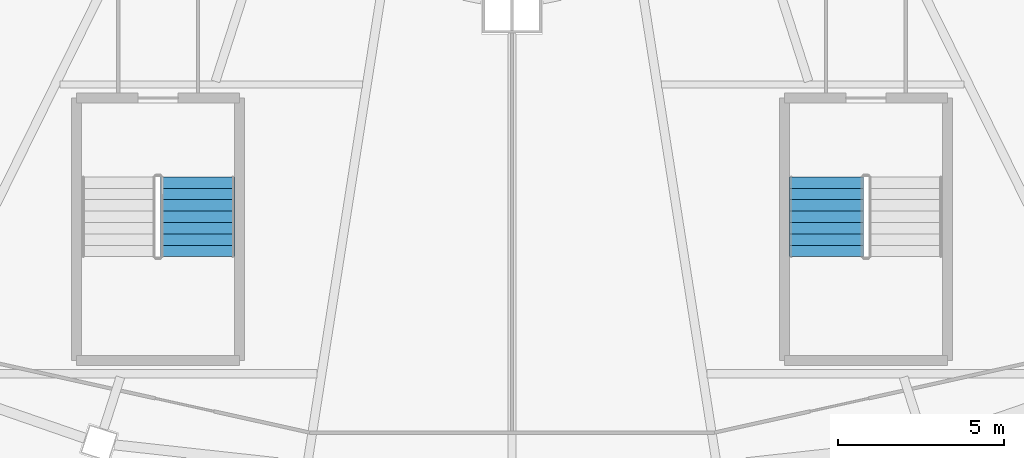
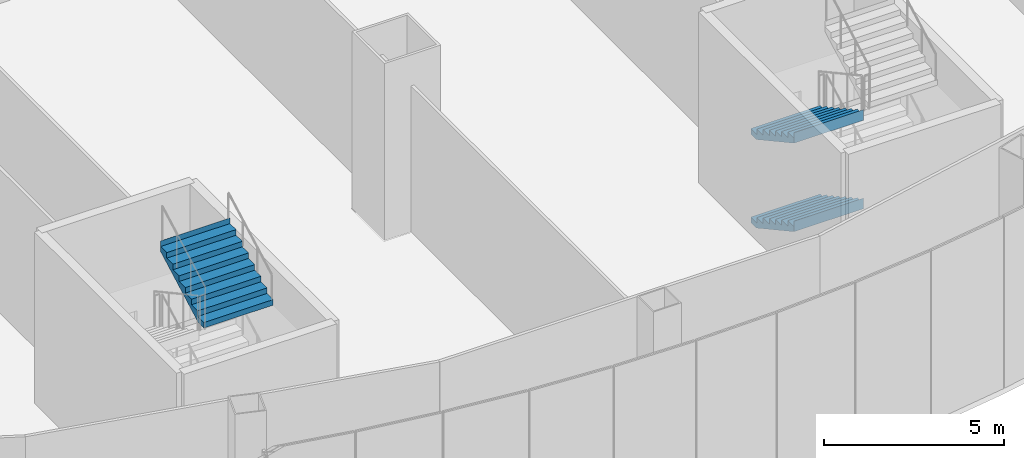
# One storey, part 28 of 37: 3 stair flights, 2 elements without a shape of their own.
"""IFC4 building model written with IfcOpenShell, lengths in metres."""

from ifc_helpers import new_model, si_unit, direction, frame, origin, place, context, subcontext, project, spatial, triangles, material, type_object, element, aggregate, save


model = new_model("IFC4")

# Units and contexts
model_context = context("Model", 3, precision=1e-05, world=origin(), true_north=direction((0.0, 1.0)))
body_context = subcontext(model_context, "Body", "Model", "MODEL_VIEW")
ifc_project = project(units=[si_unit("LENGTHUNIT", "METRE"), si_unit("AREAUNIT", "SQUARE_METRE"), si_unit("VOLUMEUNIT", "CUBIC_METRE"), si_unit("PLANEANGLEUNIT", "RADIAN"), si_unit("MASSUNIT", "GRAM", prefix="KILO")], contexts=[model_context])

# Site, building, storey
site_placement = place(None, origin())
site = spatial("IfcSite", under=ifc_project, at=site_placement, CompositionType="ELEMENT")
building_placement = place(site_placement, origin())
building = spatial("IfcBuilding", under=site, at=building_placement, Name="Sahrelin Media Tower", CompositionType="ELEMENT")
storey_placement = place(building_placement, frame((0.0, 0.0, 31.39990234375)))
storey = spatial("IfcBuildingStorey", under=building, at=storey_placement, Name="L04", CompositionType="ELEMENT", Elevation=31.39990234375)

# Stair, stair flight
ifc_material = material(Name="Concrete C40/50", Category="concrete")
stair_type = type_object("IfcStairType", Name="Podium stair 2225", PredefinedType="HALF_TURN_STAIR", material=ifc_material)
placement = place(storey_placement, origin())
stair_1 = element("IfcStair", 1, at=placement, inside=storey, type_object=stair_type, Name="L04 Podium stair PS3", PredefinedType="HALF_TURN_STAIR")
stair_flight_type = type_object("IfcStairFlightType", Name="Stair flight 2225", PredefinedType="STRAIGHT", material=ifc_material)
stair_flight_1_placement = place(storey_placement, frame((-9.46240234375, -33.02490234375, 4.5), z_axis=(0.0, 0.0, 1.0), x_axis=(0.0, 1.0, 0.0)))
stair_flight_1 = element("IfcStairFlight", 2, at=stair_flight_1_placement, type_object=stair_flight_type, Name="PS3 flight 4", NumberOfRisers=8, NumberOfTreads=7, PredefinedType="STRAIGHT", RiserHeight=0.1875, TreadLength=0.342857143, context=body_context, shape_type="Tessellation", body=[
    triangles([(0.3125, 1.112548828125, 0.0), (0.3125, 0.794677734375, 0.0), (0.3125, 0.476806640625, 0.0), (0.3125, 0.158935546875, 0.0), (0.3125, -0.158935546875, 0.0), (0.3125, -0.476806640625, 0.0), (0.3125, -0.794677734375, 0.0), (0.3125, -1.112548828125, 0.0), (2.39990234375, 1.112548828125, 1.1416015625), (2.39990234375, 0.794677734375, 1.1416015625), (2.39990234375, 0.476806640625, 1.1416015625), (2.39990234375, 0.158935546875, 1.1416015625), (2.39990234375, -0.158935546875, 1.1416015625), (2.39990234375, -0.476806640625, 1.1416015625), (2.39990234375, -0.794677734375, 1.1416015625), (2.39990234375, -1.112548828125, 1.1416015625), (2.39990234375, 1.112548828125, 1.5), (2.39990234375, 0.794677734375, 1.5), (2.39990234375, 0.476806640625, 1.5), (2.39990234375, 0.158935546875, 1.5), (2.39990234375, -0.158935546875, 1.5), (2.39990234375, -0.476806640625, 1.5), (2.39990234375, -0.794677734375, 1.5), (2.39990234375, -1.112548828125, 1.5), (2.39794921875, 1.112548828125, 1.5), (2.39794921875, 0.794677734375, 1.5), (2.39794921875, 0.476806640625, 1.5), (2.39794921875, 0.158935546875, 1.5), (2.39794921875, -0.158935546875, 1.5), (2.39794921875, -0.476806640625, 1.5), (2.39794921875, -0.794677734375, 1.5), (2.39794921875, -1.112548828125, 1.5), (2.39794921875, 1.112548828125, 1.3125), (2.39794921875, 0.794677734375, 1.3125), (2.39794921875, 0.476806640625, 1.3125), (2.39794921875, 0.158935546875, 1.3125), (2.39794921875, -0.158935546875, 1.3125), (2.39794921875, -0.476806640625, 1.3125), (2.39794921875, -0.794677734375, 1.3125), (2.39794921875, -1.112548828125, 1.3125), (2.05712890625, 1.112548828125, 1.3125), (2.05712890625, 0.794677734375, 1.3125), (2.05712890625, 0.476806640625, 1.3125), (2.05712890625, 0.158935546875, 1.3125), (2.05712890625, -0.158935546875, 1.3125), (2.05712890625, -0.476806640625, 1.3125), (2.05712890625, -0.794677734375, 1.3125), (2.05712890625, -1.112548828125, 1.3125), (2.05712890625, 1.112548828125, 1.125), (2.05712890625, 0.794677734375, 1.125), (2.05712890625, 0.476806640625, 1.125), (2.05712890625, 0.158935546875, 1.125), (2.05712890625, -0.158935546875, 1.125), (2.05712890625, -0.476806640625, 1.125), (2.05712890625, -0.794677734375, 1.125), (2.05712890625, -1.112548828125, 1.125), (1.71435546875, 1.112548828125, 1.125), (1.71435546875, 0.794677734375, 1.125), (1.71435546875, 0.476806640625, 1.125), (1.71435546875, 0.158935546875, 1.125), (1.71435546875, -0.158935546875, 1.125), (1.71435546875, -0.476806640625, 1.125), (1.71435546875, -0.794677734375, 1.125), (1.71435546875, -1.112548828125, 1.125), (1.71435546875, 1.112548828125, 0.9375), (1.71435546875, 0.794677734375, 0.9375), (1.71435546875, 0.476806640625, 0.9375), (1.71435546875, 0.158935546875, 0.9375), (1.71435546875, -0.158935546875, 0.9375), (1.71435546875, -0.476806640625, 0.9375), (1.71435546875, -0.794677734375, 0.9375), (1.71435546875, -1.112548828125, 0.9375), (1.371337890625, 1.112548828125, 0.9375), (1.371337890625, 0.794677734375, 0.9375), (1.371337890625, 0.476806640625, 0.9375), (1.371337890625, 0.158935546875, 0.9375), (1.371337890625, -0.158935546875, 0.9375), (1.371337890625, -0.476806640625, 0.9375), (1.371337890625, -0.794677734375, 0.9375), (1.371337890625, -1.112548828125, 0.9375), (1.371337890625, 1.112548828125, 0.75), (1.371337890625, 0.794677734375, 0.75), (1.371337890625, 0.476806640625, 0.75), (1.371337890625, 0.158935546875, 0.75), (1.371337890625, -0.158935546875, 0.75), (1.371337890625, -0.476806640625, 0.75), (1.371337890625, -0.794677734375, 0.75), (1.371337890625, -1.112548828125, 0.75), (1.028564453125, 1.112548828125, 0.75), (1.028564453125, 0.794677734375, 0.75), (1.028564453125, 0.476806640625, 0.75), (1.028564453125, 0.158935546875, 0.75), (1.028564453125, -0.158935546875, 0.75), (1.028564453125, -0.476806640625, 0.75), (1.028564453125, -0.794677734375, 0.75), (1.028564453125, -1.112548828125, 0.75), (1.028564453125, 1.112548828125, 0.5625), (1.028564453125, 0.794677734375, 0.5625), (1.028564453125, 0.476806640625, 0.5625), (1.028564453125, 0.158935546875, 0.5625), (1.028564453125, -0.158935546875, 0.5625), (1.028564453125, -0.476806640625, 0.5625), (1.028564453125, -0.794677734375, 0.5625), (1.028564453125, -1.112548828125, 0.5625), (0.685791015625, 1.112548828125, 0.5625), (0.685791015625, 0.794677734375, 0.5625), (0.685791015625, 0.476806640625, 0.5625), (0.685791015625, 0.158935546875, 0.5625), (0.685791015625, -0.158935546875, 0.5625), (0.685791015625, -0.476806640625, 0.5625), (0.685791015625, -0.794677734375, 0.5625), (0.685791015625, -1.112548828125, 0.5625), (0.685791015625, 1.112548828125, 0.375), (0.685791015625, 0.794677734375, 0.375), (0.685791015625, 0.476806640625, 0.375), (0.685791015625, 0.158935546875, 0.375), (0.685791015625, -0.158935546875, 0.375), (0.685791015625, -0.476806640625, 0.375), (0.685791015625, -0.794677734375, 0.375), (0.685791015625, -1.112548828125, 0.375), (0.3427734375, 1.112548828125, 0.375), (0.3427734375, 0.794677734375, 0.375), (0.3427734375, 0.476806640625, 0.375), (0.3427734375, 0.158935546875, 0.375), (0.3427734375, -0.158935546875, 0.375), (0.3427734375, -0.476806640625, 0.375), (0.3427734375, -0.794677734375, 0.375), (0.3427734375, -1.112548828125, 0.375), (0.3427734375, 1.112548828125, 0.1875), (0.3427734375, 0.794677734375, 0.1875), (0.3427734375, 0.476806640625, 0.1875), (0.3427734375, 0.158935546875, 0.1875), (0.3427734375, -0.158935546875, 0.1875), (0.3427734375, -0.476806640625, 0.1875), (0.3427734375, -0.794677734375, 0.1875), (0.3427734375, -1.112548828125, 0.1875), (0.0, 1.112548828125, 0.1875), (0.0, 0.794677734375, 0.1875), (0.0, 0.476806640625, 0.1875), (0.0, 0.158935546875, 0.1875), (0.0, -0.158935546875, 0.1875), (0.0, -0.476806640625, 0.1875), (0.0, -0.794677734375, 0.1875), (0.0, -1.112548828125, 0.1875), (0.0, 1.112548828125, 0.0), (0.0, 0.794677734375, 0.0), (0.0, 0.476806640625, 0.0), (0.0, 0.158935546875, 0.0), (0.0, -0.158935546875, 0.0), (0.0, -0.476806640625, 0.0), (0.0, -0.794677734375, 0.0), (0.0, -1.112548828125, 0.0)], [[1, 9, 10], [1, 10, 2], [2, 10, 11], [2, 11, 3], [3, 11, 12], [3, 12, 4], [4, 12, 13], [4, 13, 5], [5, 13, 14], [5, 14, 6], [6, 14, 15], [6, 15, 7], [7, 15, 16], [7, 16, 8], [9, 17, 18], [9, 18, 10], [10, 18, 19], [10, 19, 11], [11, 19, 20], [11, 20, 12], [12, 20, 21], [12, 21, 13], [13, 21, 22], [13, 22, 14], [14, 22, 23], [14, 23, 15], [15, 23, 24], [15, 24, 16], [17, 25, 26], [17, 26, 18], [18, 26, 27], [18, 27, 19], [19, 27, 28], [19, 28, 20], [20, 28, 29], [20, 29, 21], [21, 29, 30], [21, 30, 22], [22, 30, 31], [22, 31, 23], [23, 31, 32], [23, 32, 24], [25, 33, 34], [25, 34, 26], [26, 34, 35], [26, 35, 27], [27, 35, 36], [27, 36, 28], [28, 36, 37], [28, 37, 29], [29, 37, 38], [29, 38, 30], [30, 38, 39], [30, 39, 31], [31, 39, 40], [31, 40, 32], [33, 41, 42], [33, 42, 34], [34, 42, 43], [34, 43, 35], [35, 43, 44], [35, 44, 36], [36, 44, 45], [36, 45, 37], [37, 45, 46], [37, 46, 38], [38, 46, 47], [38, 47, 39], [39, 47, 48], [39, 48, 40], [41, 49, 50], [41, 50, 42], [42, 50, 51], [42, 51, 43], [43, 51, 52], [43, 52, 44], [44, 52, 53], [44, 53, 45], [45, 53, 54], [45, 54, 46], [46, 54, 55], [46, 55, 47], [47, 55, 56], [47, 56, 48], [49, 57, 58], [49, 58, 50], [50, 58, 59], [50, 59, 51], [51, 59, 60], [51, 60, 52], [52, 60, 61], [52, 61, 53], [53, 61, 62], [53, 62, 54], [54, 62, 63], [54, 63, 55], [55, 63, 64], [55, 64, 56], [57, 65, 66], [57, 66, 58], [58, 66, 67], [58, 67, 59], [59, 67, 68], [59, 68, 60], [60, 68, 69], [60, 69, 61], [61, 69, 70], [61, 70, 62], [62, 70, 71], [62, 71, 63], [63, 71, 72], [63, 72, 64], [65, 73, 74], [65, 74, 66], [66, 74, 75], [66, 75, 67], [67, 75, 76], [67, 76, 68], [68, 76, 77], [68, 77, 69], [69, 77, 78], [69, 78, 70], [70, 78, 79], [70, 79, 71], [71, 79, 80], [71, 80, 72], [73, 81, 82], [73, 82, 74], [74, 82, 83], [74, 83, 75], [75, 83, 84], [75, 84, 76], [76, 84, 85], [76, 85, 77], [77, 85, 86], [77, 86, 78], [78, 86, 87], [78, 87, 79], [79, 87, 88], [79, 88, 80], [81, 89, 90], [81, 90, 82], [82, 90, 91], [82, 91, 83], [83, 91, 92], [83, 92, 84], [84, 92, 93], [84, 93, 85], [85, 93, 94], [85, 94, 86], [86, 94, 95], [86, 95, 87], [87, 95, 96], [87, 96, 88], [89, 97, 98], [89, 98, 90], [90, 98, 99], [90, 99, 91], [91, 99, 100], [91, 100, 92], [92, 100, 101], [92, 101, 93], [93, 101, 102], [93, 102, 94], [94, 102, 103], [94, 103, 95], [95, 103, 104], [95, 104, 96], [97, 105, 106], [97, 106, 98], [98, 106, 107], [98, 107, 99], [99, 107, 108], [99, 108, 100], [100, 108, 109], [100, 109, 101], [101, 109, 110], [101, 110, 102], [102, 110, 111], [102, 111, 103], [103, 111, 112], [103, 112, 104], [105, 113, 114], [105, 114, 106], [106, 114, 115], [106, 115, 107], [107, 115, 116], [107, 116, 108], [108, 116, 117], [108, 117, 109], [109, 117, 118], [109, 118, 110], [110, 118, 119], [110, 119, 111], [111, 119, 120], [111, 120, 112], [113, 121, 122], [113, 122, 114], [114, 122, 123], [114, 123, 115], [115, 123, 124], [115, 124, 116], [116, 124, 125], [116, 125, 117], [117, 125, 126], [117, 126, 118], [118, 126, 127], [118, 127, 119], [119, 127, 128], [119, 128, 120], [121, 129, 130], [121, 130, 122], [122, 130, 131], [122, 131, 123], [123, 131, 132], [123, 132, 124], [124, 132, 133], [124, 133, 125], [125, 133, 134], [125, 134, 126], [126, 134, 135], [126, 135, 127], [127, 135, 136], [127, 136, 128], [129, 137, 138], [129, 138, 130], [130, 138, 139], [130, 139, 131], [131, 139, 140], [131, 140, 132], [132, 140, 141], [132, 141, 133], [133, 141, 142], [133, 142, 134], [134, 142, 143], [134, 143, 135], [135, 143, 144], [135, 144, 136], [137, 145, 146], [137, 146, 138], [138, 146, 147], [138, 147, 139], [139, 147, 148], [139, 148, 140], [140, 148, 149], [140, 149, 141], [141, 149, 150], [141, 150, 142], [142, 150, 151], [142, 151, 143], [143, 151, 152], [143, 152, 144], [145, 1, 2], [145, 2, 146], [146, 2, 3], [146, 3, 147], [147, 3, 4], [147, 4, 148], [148, 4, 5], [148, 5, 149], [149, 5, 6], [149, 6, 150], [150, 6, 7], [150, 7, 151], [151, 7, 8], [151, 8, 152], [8, 144, 152], [1, 145, 137], [136, 120, 128], [129, 121, 113], [120, 104, 112], [113, 105, 97], [104, 88, 96], [97, 89, 81], [88, 72, 80], [81, 73, 65], [72, 56, 64], [65, 57, 49], [16, 40, 48], [9, 41, 33], [40, 24, 32], [33, 25, 17], [8, 136, 144], [1, 137, 129], [8, 88, 104], [1, 97, 81], [40, 16, 24], [33, 17, 9], [120, 136, 8], [113, 1, 129], [16, 72, 88], [9, 81, 65], [48, 56, 16], [41, 9, 49], [104, 120, 8], [97, 1, 113], [72, 16, 56], [65, 49, 9], [8, 16, 88], [1, 81, 9]], closed=True),
])
aggregate(stair_1, [stair_flight_1])

# Stair, stair flights
stair_2 = element("IfcStair", 3, at=placement, inside=storey, type_object=stair_type, Name="L04 Podium stair PS4", PredefinedType="HALF_TURN_STAIR")
stair_flight_2_placement = place(storey_placement, frame((9.46240234375, -30.625, 0.0), z_axis=(0.0, 0.0, 1.0), x_axis=(0.0, -1.0, 0.0)))
stair_flight_2 = element("IfcStairFlight", 4, at=stair_flight_2_placement, type_object=stair_flight_type, Name="PS4 flight 1", NumberOfRisers=8, NumberOfTreads=7, PredefinedType="STRAIGHT", RiserHeight=0.1875, TreadLength=0.342857143, context=body_context, shape_type="Tessellation", body=[
    triangles([(0.3125, 1.112548828125, 0.0), (0.3125, 0.794677734375, 0.0), (0.3125, 0.476806640625, 0.0), (0.3125, 0.158935546875, 0.0), (0.3125, -0.158935546875, 0.0), (0.3125, -0.476806640625, 0.0), (0.3125, -0.794677734375, 0.0), (0.3125, -1.112548828125, 0.0), (2.39990234375, 1.112548828125, 1.1416015625), (2.39990234375, 0.794677734375, 1.1416015625), (2.39990234375, 0.476806640625, 1.1416015625), (2.39990234375, 0.158935546875, 1.1416015625), (2.39990234375, -0.158935546875, 1.1416015625), (2.39990234375, -0.476806640625, 1.1416015625), (2.39990234375, -0.794677734375, 1.1416015625), (2.39990234375, -1.112548828125, 1.1416015625), (2.39990234375, 1.112548828125, 1.5), (2.39990234375, 0.794677734375, 1.5), (2.39990234375, 0.476806640625, 1.5), (2.39990234375, 0.158935546875, 1.5), (2.39990234375, -0.158935546875, 1.5), (2.39990234375, -0.476806640625, 1.5), (2.39990234375, -0.794677734375, 1.5), (2.39990234375, -1.112548828125, 1.5), (2.39794921875, 1.112548828125, 1.5), (2.39794921875, 0.794677734375, 1.5), (2.39794921875, 0.476806640625, 1.5), (2.39794921875, 0.158935546875, 1.5), (2.39794921875, -0.158935546875, 1.5), (2.39794921875, -0.476806640625, 1.5), (2.39794921875, -0.794677734375, 1.5), (2.39794921875, -1.112548828125, 1.5), (2.39794921875, 1.112548828125, 1.3125), (2.39794921875, 0.794677734375, 1.3125), (2.39794921875, 0.476806640625, 1.3125), (2.39794921875, 0.158935546875, 1.3125), (2.39794921875, -0.158935546875, 1.3125), (2.39794921875, -0.476806640625, 1.3125), (2.39794921875, -0.794677734375, 1.3125), (2.39794921875, -1.112548828125, 1.3125), (2.05712890625, 1.112548828125, 1.3125), (2.05712890625, 0.794677734375, 1.3125), (2.05712890625, 0.476806640625, 1.3125), (2.05712890625, 0.158935546875, 1.3125), (2.05712890625, -0.158935546875, 1.3125), (2.05712890625, -0.476806640625, 1.3125), (2.05712890625, -0.794677734375, 1.3125), (2.05712890625, -1.112548828125, 1.3125), (2.05712890625, 1.112548828125, 1.125), (2.05712890625, 0.794677734375, 1.125), (2.05712890625, 0.476806640625, 1.125), (2.05712890625, 0.158935546875, 1.125), (2.05712890625, -0.158935546875, 1.125), (2.05712890625, -0.476806640625, 1.125), (2.05712890625, -0.794677734375, 1.125), (2.05712890625, -1.112548828125, 1.125), (1.71435546875, 1.112548828125, 1.125), (1.71435546875, 0.794677734375, 1.125), (1.71435546875, 0.476806640625, 1.125), (1.71435546875, 0.158935546875, 1.125), (1.71435546875, -0.158935546875, 1.125), (1.71435546875, -0.476806640625, 1.125), (1.71435546875, -0.794677734375, 1.125), (1.71435546875, -1.112548828125, 1.125), (1.71435546875, 1.112548828125, 0.9375), (1.71435546875, 0.794677734375, 0.9375), (1.71435546875, 0.476806640625, 0.9375), (1.71435546875, 0.158935546875, 0.9375), (1.71435546875, -0.158935546875, 0.9375), (1.71435546875, -0.476806640625, 0.9375), (1.71435546875, -0.794677734375, 0.9375), (1.71435546875, -1.112548828125, 0.9375), (1.371337890625, 1.112548828125, 0.9375), (1.371337890625, 0.794677734375, 0.9375), (1.371337890625, 0.476806640625, 0.9375), (1.371337890625, 0.158935546875, 0.9375), (1.371337890625, -0.158935546875, 0.9375), (1.371337890625, -0.476806640625, 0.9375), (1.371337890625, -0.794677734375, 0.9375), (1.371337890625, -1.112548828125, 0.9375), (1.371337890625, 1.112548828125, 0.75), (1.371337890625, 0.794677734375, 0.75), (1.371337890625, 0.476806640625, 0.75), (1.371337890625, 0.158935546875, 0.75), (1.371337890625, -0.158935546875, 0.75), (1.371337890625, -0.476806640625, 0.75), (1.371337890625, -0.794677734375, 0.75), (1.371337890625, -1.112548828125, 0.75), (1.028564453125, 1.112548828125, 0.75), (1.028564453125, 0.794677734375, 0.75), (1.028564453125, 0.476806640625, 0.75), (1.028564453125, 0.158935546875, 0.75), (1.028564453125, -0.158935546875, 0.75), (1.028564453125, -0.476806640625, 0.75), (1.028564453125, -0.794677734375, 0.75), (1.028564453125, -1.112548828125, 0.75), (1.028564453125, 1.112548828125, 0.5625), (1.028564453125, 0.794677734375, 0.5625), (1.028564453125, 0.476806640625, 0.5625), (1.028564453125, 0.158935546875, 0.5625), (1.028564453125, -0.158935546875, 0.5625), (1.028564453125, -0.476806640625, 0.5625), (1.028564453125, -0.794677734375, 0.5625), (1.028564453125, -1.112548828125, 0.5625), (0.685791015625, 1.112548828125, 0.5625), (0.685791015625, 0.794677734375, 0.5625), (0.685791015625, 0.476806640625, 0.5625), (0.685791015625, 0.158935546875, 0.5625), (0.685791015625, -0.158935546875, 0.5625), (0.685791015625, -0.476806640625, 0.5625), (0.685791015625, -0.794677734375, 0.5625), (0.685791015625, -1.112548828125, 0.5625), (0.685791015625, 1.112548828125, 0.375), (0.685791015625, 0.794677734375, 0.375), (0.685791015625, 0.476806640625, 0.375), (0.685791015625, 0.158935546875, 0.375), (0.685791015625, -0.158935546875, 0.375), (0.685791015625, -0.476806640625, 0.375), (0.685791015625, -0.794677734375, 0.375), (0.685791015625, -1.112548828125, 0.375), (0.3427734375, 1.112548828125, 0.375), (0.3427734375, 0.794677734375, 0.375), (0.3427734375, 0.476806640625, 0.375), (0.3427734375, 0.158935546875, 0.375), (0.3427734375, -0.158935546875, 0.375), (0.3427734375, -0.476806640625, 0.375), (0.3427734375, -0.794677734375, 0.375), (0.3427734375, -1.112548828125, 0.375), (0.3427734375, 1.112548828125, 0.1875), (0.3427734375, 0.794677734375, 0.1875), (0.3427734375, 0.476806640625, 0.1875), (0.3427734375, 0.158935546875, 0.1875), (0.3427734375, -0.158935546875, 0.1875), (0.3427734375, -0.476806640625, 0.1875), (0.3427734375, -0.794677734375, 0.1875), (0.3427734375, -1.112548828125, 0.1875), (0.0, 1.112548828125, 0.1875), (0.0, 0.794677734375, 0.1875), (0.0, 0.476806640625, 0.1875), (0.0, 0.158935546875, 0.1875), (0.0, -0.158935546875, 0.1875), (0.0, -0.476806640625, 0.1875), (0.0, -0.794677734375, 0.1875), (0.0, -1.112548828125, 0.1875), (0.0, 1.112548828125, 0.0), (0.0, 0.794677734375, 0.0), (0.0, 0.476806640625, 0.0), (0.0, 0.158935546875, 0.0), (0.0, -0.158935546875, 0.0), (0.0, -0.476806640625, 0.0), (0.0, -0.794677734375, 0.0), (0.0, -1.112548828125, 0.0)], [[1, 9, 10], [1, 10, 2], [2, 10, 11], [2, 11, 3], [3, 11, 12], [3, 12, 4], [4, 12, 13], [4, 13, 5], [5, 13, 14], [5, 14, 6], [6, 14, 15], [6, 15, 7], [7, 15, 16], [7, 16, 8], [9, 17, 18], [9, 18, 10], [10, 18, 19], [10, 19, 11], [11, 19, 20], [11, 20, 12], [12, 20, 21], [12, 21, 13], [13, 21, 22], [13, 22, 14], [14, 22, 23], [14, 23, 15], [15, 23, 24], [15, 24, 16], [17, 25, 26], [17, 26, 18], [18, 26, 27], [18, 27, 19], [19, 27, 28], [19, 28, 20], [20, 28, 29], [20, 29, 21], [21, 29, 30], [21, 30, 22], [22, 30, 31], [22, 31, 23], [23, 31, 32], [23, 32, 24], [25, 33, 34], [25, 34, 26], [26, 34, 35], [26, 35, 27], [27, 35, 36], [27, 36, 28], [28, 36, 37], [28, 37, 29], [29, 37, 38], [29, 38, 30], [30, 38, 39], [30, 39, 31], [31, 39, 40], [31, 40, 32], [33, 41, 42], [33, 42, 34], [34, 42, 43], [34, 43, 35], [35, 43, 44], [35, 44, 36], [36, 44, 45], [36, 45, 37], [37, 45, 46], [37, 46, 38], [38, 46, 47], [38, 47, 39], [39, 47, 48], [39, 48, 40], [41, 49, 50], [41, 50, 42], [42, 50, 51], [42, 51, 43], [43, 51, 52], [43, 52, 44], [44, 52, 53], [44, 53, 45], [45, 53, 54], [45, 54, 46], [46, 54, 55], [46, 55, 47], [47, 55, 56], [47, 56, 48], [49, 57, 58], [49, 58, 50], [50, 58, 59], [50, 59, 51], [51, 59, 60], [51, 60, 52], [52, 60, 61], [52, 61, 53], [53, 61, 62], [53, 62, 54], [54, 62, 63], [54, 63, 55], [55, 63, 64], [55, 64, 56], [57, 65, 66], [57, 66, 58], [58, 66, 67], [58, 67, 59], [59, 67, 68], [59, 68, 60], [60, 68, 69], [60, 69, 61], [61, 69, 70], [61, 70, 62], [62, 70, 71], [62, 71, 63], [63, 71, 72], [63, 72, 64], [65, 73, 74], [65, 74, 66], [66, 74, 75], [66, 75, 67], [67, 75, 76], [67, 76, 68], [68, 76, 77], [68, 77, 69], [69, 77, 78], [69, 78, 70], [70, 78, 79], [70, 79, 71], [71, 79, 80], [71, 80, 72], [73, 81, 82], [73, 82, 74], [74, 82, 83], [74, 83, 75], [75, 83, 84], [75, 84, 76], [76, 84, 85], [76, 85, 77], [77, 85, 86], [77, 86, 78], [78, 86, 87], [78, 87, 79], [79, 87, 88], [79, 88, 80], [81, 89, 90], [81, 90, 82], [82, 90, 91], [82, 91, 83], [83, 91, 92], [83, 92, 84], [84, 92, 93], [84, 93, 85], [85, 93, 94], [85, 94, 86], [86, 94, 95], [86, 95, 87], [87, 95, 96], [87, 96, 88], [89, 97, 98], [89, 98, 90], [90, 98, 99], [90, 99, 91], [91, 99, 100], [91, 100, 92], [92, 100, 101], [92, 101, 93], [93, 101, 102], [93, 102, 94], [94, 102, 103], [94, 103, 95], [95, 103, 104], [95, 104, 96], [97, 105, 106], [97, 106, 98], [98, 106, 107], [98, 107, 99], [99, 107, 108], [99, 108, 100], [100, 108, 109], [100, 109, 101], [101, 109, 110], [101, 110, 102], [102, 110, 111], [102, 111, 103], [103, 111, 112], [103, 112, 104], [105, 113, 114], [105, 114, 106], [106, 114, 115], [106, 115, 107], [107, 115, 116], [107, 116, 108], [108, 116, 117], [108, 117, 109], [109, 117, 118], [109, 118, 110], [110, 118, 119], [110, 119, 111], [111, 119, 120], [111, 120, 112], [113, 121, 122], [113, 122, 114], [114, 122, 123], [114, 123, 115], [115, 123, 124], [115, 124, 116], [116, 124, 125], [116, 125, 117], [117, 125, 126], [117, 126, 118], [118, 126, 127], [118, 127, 119], [119, 127, 128], [119, 128, 120], [121, 129, 130], [121, 130, 122], [122, 130, 131], [122, 131, 123], [123, 131, 132], [123, 132, 124], [124, 132, 133], [124, 133, 125], [125, 133, 134], [125, 134, 126], [126, 134, 135], [126, 135, 127], [127, 135, 136], [127, 136, 128], [129, 137, 138], [129, 138, 130], [130, 138, 139], [130, 139, 131], [131, 139, 140], [131, 140, 132], [132, 140, 141], [132, 141, 133], [133, 141, 142], [133, 142, 134], [134, 142, 143], [134, 143, 135], [135, 143, 144], [135, 144, 136], [137, 145, 146], [137, 146, 138], [138, 146, 147], [138, 147, 139], [139, 147, 148], [139, 148, 140], [140, 148, 149], [140, 149, 141], [141, 149, 150], [141, 150, 142], [142, 150, 151], [142, 151, 143], [143, 151, 152], [143, 152, 144], [145, 1, 2], [145, 2, 146], [146, 2, 3], [146, 3, 147], [147, 3, 4], [147, 4, 148], [148, 4, 5], [148, 5, 149], [149, 5, 6], [149, 6, 150], [150, 6, 7], [150, 7, 151], [151, 7, 8], [151, 8, 152], [8, 144, 152], [1, 145, 137], [136, 120, 128], [129, 121, 113], [120, 104, 112], [113, 105, 97], [104, 88, 96], [97, 89, 81], [88, 72, 80], [81, 73, 65], [72, 56, 64], [65, 57, 49], [16, 40, 48], [9, 41, 33], [40, 24, 32], [33, 25, 17], [8, 136, 144], [1, 137, 129], [8, 88, 104], [1, 97, 81], [40, 16, 24], [33, 17, 9], [120, 136, 8], [113, 1, 129], [16, 72, 88], [9, 81, 65], [48, 56, 16], [41, 9, 49], [104, 120, 8], [97, 1, 113], [72, 16, 56], [65, 49, 9], [8, 16, 88], [1, 81, 9]], closed=True),
])
stair_flight_3_placement = place(storey_placement, frame((9.46240234375, -30.625, 3.0), z_axis=(0.0, 0.0, 1.0), x_axis=(0.0, -1.0, 0.0)))
stair_flight_3 = element("IfcStairFlight", 5, at=stair_flight_3_placement, type_object=stair_flight_type, Name="PS4 flight 3", NumberOfRisers=8, NumberOfTreads=7, PredefinedType="STRAIGHT", RiserHeight=0.1875, TreadLength=0.342857143, context=body_context, shape_type="Tessellation", body=[
    triangles([(0.3125, 1.112548828125, 0.0), (0.3125, 0.794677734375, 0.0), (0.3125, 0.476806640625, 0.0), (0.3125, 0.158935546875, 0.0), (0.3125, -0.158935546875, 0.0), (0.3125, -0.476806640625, 0.0), (0.3125, -0.794677734375, 0.0), (0.3125, -1.112548828125, 0.0), (2.39990234375, 1.112548828125, 1.1416015625), (2.39990234375, 0.794677734375, 1.1416015625), (2.39990234375, 0.476806640625, 1.1416015625), (2.39990234375, 0.158935546875, 1.1416015625), (2.39990234375, -0.158935546875, 1.1416015625), (2.39990234375, -0.476806640625, 1.1416015625), (2.39990234375, -0.794677734375, 1.1416015625), (2.39990234375, -1.112548828125, 1.1416015625), (2.39990234375, 1.112548828125, 1.5), (2.39990234375, 0.794677734375, 1.5), (2.39990234375, 0.476806640625, 1.5), (2.39990234375, 0.158935546875, 1.5), (2.39990234375, -0.158935546875, 1.5), (2.39990234375, -0.476806640625, 1.5), (2.39990234375, -0.794677734375, 1.5), (2.39990234375, -1.112548828125, 1.5), (2.39794921875, 1.112548828125, 1.5), (2.39794921875, 0.794677734375, 1.5), (2.39794921875, 0.476806640625, 1.5), (2.39794921875, 0.158935546875, 1.5), (2.39794921875, -0.158935546875, 1.5), (2.39794921875, -0.476806640625, 1.5), (2.39794921875, -0.794677734375, 1.5), (2.39794921875, -1.112548828125, 1.5), (2.39794921875, 1.112548828125, 1.3125), (2.39794921875, 0.794677734375, 1.3125), (2.39794921875, 0.476806640625, 1.3125), (2.39794921875, 0.158935546875, 1.3125), (2.39794921875, -0.158935546875, 1.3125), (2.39794921875, -0.476806640625, 1.3125), (2.39794921875, -0.794677734375, 1.3125), (2.39794921875, -1.112548828125, 1.3125), (2.05712890625, 1.112548828125, 1.3125), (2.05712890625, 0.794677734375, 1.3125), (2.05712890625, 0.476806640625, 1.3125), (2.05712890625, 0.158935546875, 1.3125), (2.05712890625, -0.158935546875, 1.3125), (2.05712890625, -0.476806640625, 1.3125), (2.05712890625, -0.794677734375, 1.3125), (2.05712890625, -1.112548828125, 1.3125), (2.05712890625, 1.112548828125, 1.125), (2.05712890625, 0.794677734375, 1.125), (2.05712890625, 0.476806640625, 1.125), (2.05712890625, 0.158935546875, 1.125), (2.05712890625, -0.158935546875, 1.125), (2.05712890625, -0.476806640625, 1.125), (2.05712890625, -0.794677734375, 1.125), (2.05712890625, -1.112548828125, 1.125), (1.71435546875, 1.112548828125, 1.125), (1.71435546875, 0.794677734375, 1.125), (1.71435546875, 0.476806640625, 1.125), (1.71435546875, 0.158935546875, 1.125), (1.71435546875, -0.158935546875, 1.125), (1.71435546875, -0.476806640625, 1.125), (1.71435546875, -0.794677734375, 1.125), (1.71435546875, -1.112548828125, 1.125), (1.71435546875, 1.112548828125, 0.9375), (1.71435546875, 0.794677734375, 0.9375), (1.71435546875, 0.476806640625, 0.9375), (1.71435546875, 0.158935546875, 0.9375), (1.71435546875, -0.158935546875, 0.9375), (1.71435546875, -0.476806640625, 0.9375), (1.71435546875, -0.794677734375, 0.9375), (1.71435546875, -1.112548828125, 0.9375), (1.371337890625, 1.112548828125, 0.9375), (1.371337890625, 0.794677734375, 0.9375), (1.371337890625, 0.476806640625, 0.9375), (1.371337890625, 0.158935546875, 0.9375), (1.371337890625, -0.158935546875, 0.9375), (1.371337890625, -0.476806640625, 0.9375), (1.371337890625, -0.794677734375, 0.9375), (1.371337890625, -1.112548828125, 0.9375), (1.371337890625, 1.112548828125, 0.75), (1.371337890625, 0.794677734375, 0.75), (1.371337890625, 0.476806640625, 0.75), (1.371337890625, 0.158935546875, 0.75), (1.371337890625, -0.158935546875, 0.75), (1.371337890625, -0.476806640625, 0.75), (1.371337890625, -0.794677734375, 0.75), (1.371337890625, -1.112548828125, 0.75), (1.028564453125, 1.112548828125, 0.75), (1.028564453125, 0.794677734375, 0.75), (1.028564453125, 0.476806640625, 0.75), (1.028564453125, 0.158935546875, 0.75), (1.028564453125, -0.158935546875, 0.75), (1.028564453125, -0.476806640625, 0.75), (1.028564453125, -0.794677734375, 0.75), (1.028564453125, -1.112548828125, 0.75), (1.028564453125, 1.112548828125, 0.5625), (1.028564453125, 0.794677734375, 0.5625), (1.028564453125, 0.476806640625, 0.5625), (1.028564453125, 0.158935546875, 0.5625), (1.028564453125, -0.158935546875, 0.5625), (1.028564453125, -0.476806640625, 0.5625), (1.028564453125, -0.794677734375, 0.5625), (1.028564453125, -1.112548828125, 0.5625), (0.685791015625, 1.112548828125, 0.5625), (0.685791015625, 0.794677734375, 0.5625), (0.685791015625, 0.476806640625, 0.5625), (0.685791015625, 0.158935546875, 0.5625), (0.685791015625, -0.158935546875, 0.5625), (0.685791015625, -0.476806640625, 0.5625), (0.685791015625, -0.794677734375, 0.5625), (0.685791015625, -1.112548828125, 0.5625), (0.685791015625, 1.112548828125, 0.375), (0.685791015625, 0.794677734375, 0.375), (0.685791015625, 0.476806640625, 0.375), (0.685791015625, 0.158935546875, 0.375), (0.685791015625, -0.158935546875, 0.375), (0.685791015625, -0.476806640625, 0.375), (0.685791015625, -0.794677734375, 0.375), (0.685791015625, -1.112548828125, 0.375), (0.3427734375, 1.112548828125, 0.375), (0.3427734375, 0.794677734375, 0.375), (0.3427734375, 0.476806640625, 0.375), (0.3427734375, 0.158935546875, 0.375), (0.3427734375, -0.158935546875, 0.375), (0.3427734375, -0.476806640625, 0.375), (0.3427734375, -0.794677734375, 0.375), (0.3427734375, -1.112548828125, 0.375), (0.3427734375, 1.112548828125, 0.1875), (0.3427734375, 0.794677734375, 0.1875), (0.3427734375, 0.476806640625, 0.1875), (0.3427734375, 0.158935546875, 0.1875), (0.3427734375, -0.158935546875, 0.1875), (0.3427734375, -0.476806640625, 0.1875), (0.3427734375, -0.794677734375, 0.1875), (0.3427734375, -1.112548828125, 0.1875), (0.0, 1.112548828125, 0.1875), (0.0, 0.794677734375, 0.1875), (0.0, 0.476806640625, 0.1875), (0.0, 0.158935546875, 0.1875), (0.0, -0.158935546875, 0.1875), (0.0, -0.476806640625, 0.1875), (0.0, -0.794677734375, 0.1875), (0.0, -1.112548828125, 0.1875), (0.0, 1.112548828125, 0.0), (0.0, 0.794677734375, 0.0), (0.0, 0.476806640625, 0.0), (0.0, 0.158935546875, 0.0), (0.0, -0.158935546875, 0.0), (0.0, -0.476806640625, 0.0), (0.0, -0.794677734375, 0.0), (0.0, -1.112548828125, 0.0)], [[1, 9, 10], [1, 10, 2], [2, 10, 11], [2, 11, 3], [3, 11, 12], [3, 12, 4], [4, 12, 13], [4, 13, 5], [5, 13, 14], [5, 14, 6], [6, 14, 15], [6, 15, 7], [7, 15, 16], [7, 16, 8], [9, 17, 18], [9, 18, 10], [10, 18, 19], [10, 19, 11], [11, 19, 20], [11, 20, 12], [12, 20, 21], [12, 21, 13], [13, 21, 22], [13, 22, 14], [14, 22, 23], [14, 23, 15], [15, 23, 24], [15, 24, 16], [17, 25, 26], [17, 26, 18], [18, 26, 27], [18, 27, 19], [19, 27, 28], [19, 28, 20], [20, 28, 29], [20, 29, 21], [21, 29, 30], [21, 30, 22], [22, 30, 31], [22, 31, 23], [23, 31, 32], [23, 32, 24], [25, 33, 34], [25, 34, 26], [26, 34, 35], [26, 35, 27], [27, 35, 36], [27, 36, 28], [28, 36, 37], [28, 37, 29], [29, 37, 38], [29, 38, 30], [30, 38, 39], [30, 39, 31], [31, 39, 40], [31, 40, 32], [33, 41, 42], [33, 42, 34], [34, 42, 43], [34, 43, 35], [35, 43, 44], [35, 44, 36], [36, 44, 45], [36, 45, 37], [37, 45, 46], [37, 46, 38], [38, 46, 47], [38, 47, 39], [39, 47, 48], [39, 48, 40], [41, 49, 50], [41, 50, 42], [42, 50, 51], [42, 51, 43], [43, 51, 52], [43, 52, 44], [44, 52, 53], [44, 53, 45], [45, 53, 54], [45, 54, 46], [46, 54, 55], [46, 55, 47], [47, 55, 56], [47, 56, 48], [49, 57, 58], [49, 58, 50], [50, 58, 59], [50, 59, 51], [51, 59, 60], [51, 60, 52], [52, 60, 61], [52, 61, 53], [53, 61, 62], [53, 62, 54], [54, 62, 63], [54, 63, 55], [55, 63, 64], [55, 64, 56], [57, 65, 66], [57, 66, 58], [58, 66, 67], [58, 67, 59], [59, 67, 68], [59, 68, 60], [60, 68, 69], [60, 69, 61], [61, 69, 70], [61, 70, 62], [62, 70, 71], [62, 71, 63], [63, 71, 72], [63, 72, 64], [65, 73, 74], [65, 74, 66], [66, 74, 75], [66, 75, 67], [67, 75, 76], [67, 76, 68], [68, 76, 77], [68, 77, 69], [69, 77, 78], [69, 78, 70], [70, 78, 79], [70, 79, 71], [71, 79, 80], [71, 80, 72], [73, 81, 82], [73, 82, 74], [74, 82, 83], [74, 83, 75], [75, 83, 84], [75, 84, 76], [76, 84, 85], [76, 85, 77], [77, 85, 86], [77, 86, 78], [78, 86, 87], [78, 87, 79], [79, 87, 88], [79, 88, 80], [81, 89, 90], [81, 90, 82], [82, 90, 91], [82, 91, 83], [83, 91, 92], [83, 92, 84], [84, 92, 93], [84, 93, 85], [85, 93, 94], [85, 94, 86], [86, 94, 95], [86, 95, 87], [87, 95, 96], [87, 96, 88], [89, 97, 98], [89, 98, 90], [90, 98, 99], [90, 99, 91], [91, 99, 100], [91, 100, 92], [92, 100, 101], [92, 101, 93], [93, 101, 102], [93, 102, 94], [94, 102, 103], [94, 103, 95], [95, 103, 104], [95, 104, 96], [97, 105, 106], [97, 106, 98], [98, 106, 107], [98, 107, 99], [99, 107, 108], [99, 108, 100], [100, 108, 109], [100, 109, 101], [101, 109, 110], [101, 110, 102], [102, 110, 111], [102, 111, 103], [103, 111, 112], [103, 112, 104], [105, 113, 114], [105, 114, 106], [106, 114, 115], [106, 115, 107], [107, 115, 116], [107, 116, 108], [108, 116, 117], [108, 117, 109], [109, 117, 118], [109, 118, 110], [110, 118, 119], [110, 119, 111], [111, 119, 120], [111, 120, 112], [113, 121, 122], [113, 122, 114], [114, 122, 123], [114, 123, 115], [115, 123, 124], [115, 124, 116], [116, 124, 125], [116, 125, 117], [117, 125, 126], [117, 126, 118], [118, 126, 127], [118, 127, 119], [119, 127, 128], [119, 128, 120], [121, 129, 130], [121, 130, 122], [122, 130, 131], [122, 131, 123], [123, 131, 132], [123, 132, 124], [124, 132, 133], [124, 133, 125], [125, 133, 134], [125, 134, 126], [126, 134, 135], [126, 135, 127], [127, 135, 136], [127, 136, 128], [129, 137, 138], [129, 138, 130], [130, 138, 139], [130, 139, 131], [131, 139, 140], [131, 140, 132], [132, 140, 141], [132, 141, 133], [133, 141, 142], [133, 142, 134], [134, 142, 143], [134, 143, 135], [135, 143, 144], [135, 144, 136], [137, 145, 146], [137, 146, 138], [138, 146, 147], [138, 147, 139], [139, 147, 148], [139, 148, 140], [140, 148, 149], [140, 149, 141], [141, 149, 150], [141, 150, 142], [142, 150, 151], [142, 151, 143], [143, 151, 152], [143, 152, 144], [145, 1, 2], [145, 2, 146], [146, 2, 3], [146, 3, 147], [147, 3, 4], [147, 4, 148], [148, 4, 5], [148, 5, 149], [149, 5, 6], [149, 6, 150], [150, 6, 7], [150, 7, 151], [151, 7, 8], [151, 8, 152], [8, 144, 152], [1, 145, 137], [136, 120, 128], [129, 121, 113], [120, 104, 112], [113, 105, 97], [104, 88, 96], [97, 89, 81], [88, 72, 80], [81, 73, 65], [72, 56, 64], [65, 57, 49], [16, 40, 48], [9, 41, 33], [40, 24, 32], [33, 25, 17], [8, 136, 144], [1, 137, 129], [8, 88, 104], [1, 97, 81], [40, 16, 24], [33, 17, 9], [120, 136, 8], [113, 1, 129], [16, 72, 88], [9, 81, 65], [48, 56, 16], [41, 9, 49], [104, 120, 8], [97, 1, 113], [72, 16, 56], [65, 49, 9], [8, 16, 88], [1, 81, 9]], closed=True),
])
aggregate(stair_2, [stair_flight_2, stair_flight_3])

save(model, "model.ifc")
